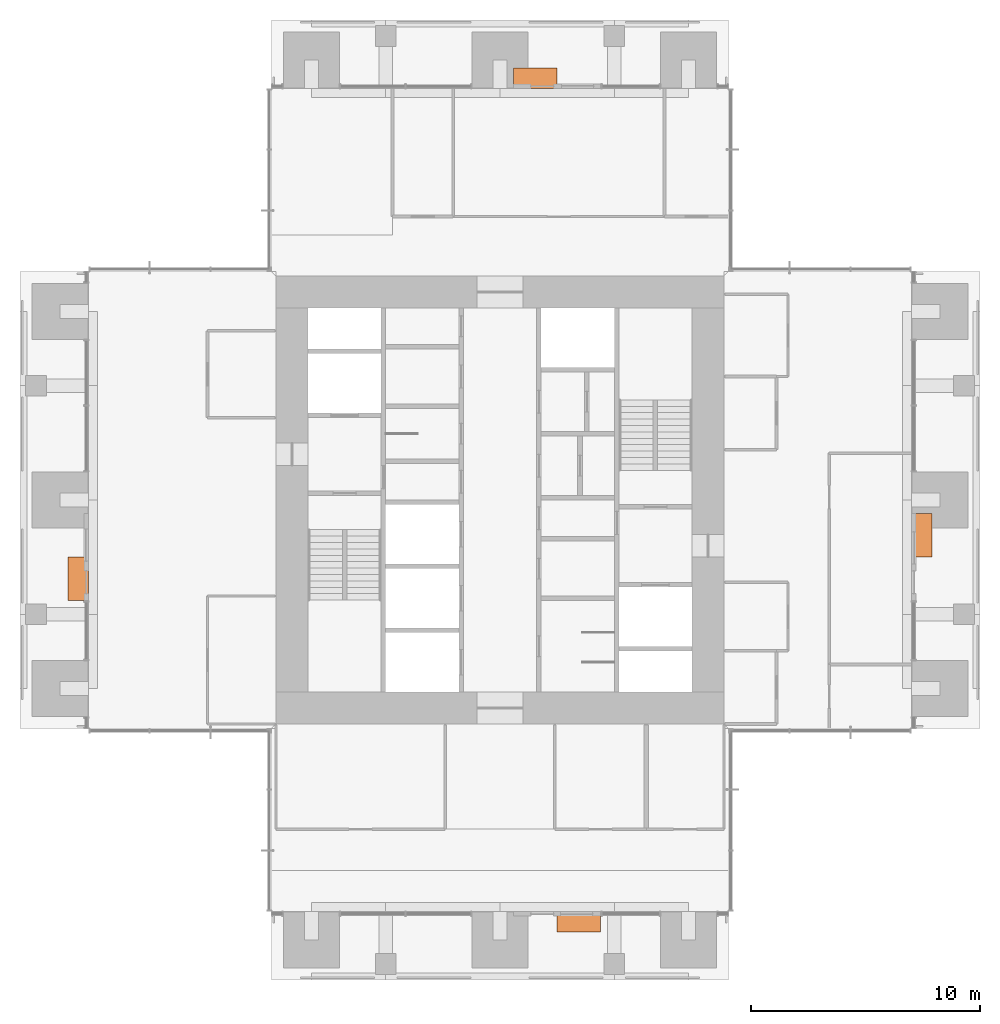
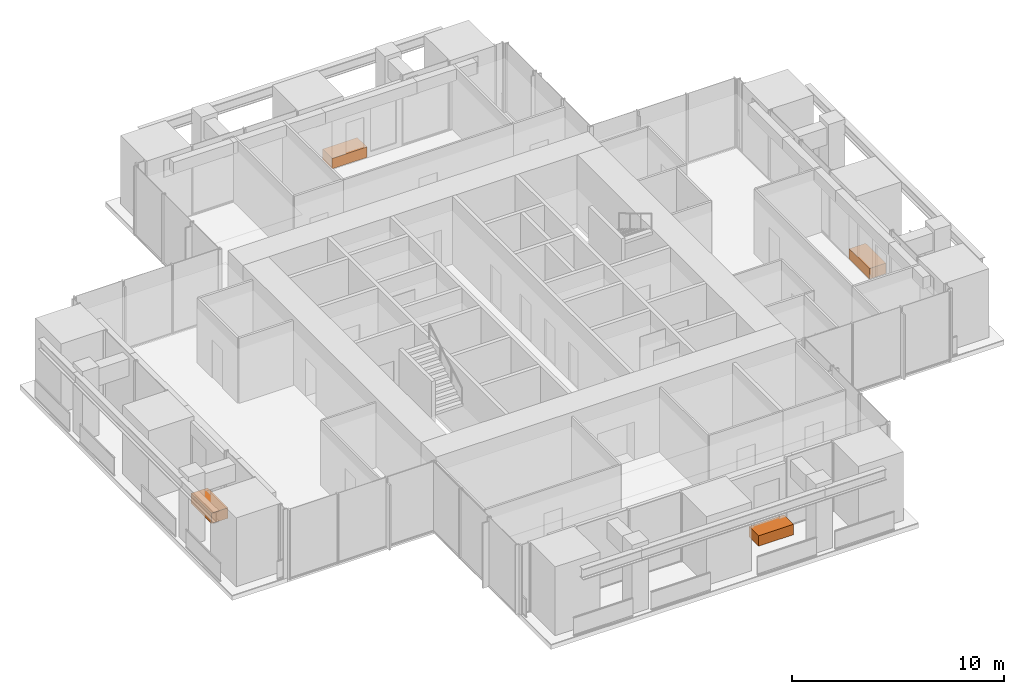
# One storey, part 17 of 17: 4 proxies.
"""IFC4 building model written with IfcOpenShell, lengths in metres."""

from ifc_helpers import new_model, si_unit, direction, frame, origin, origin_2d, place, context, subcontext, project, spatial, rectangle, extrude, element, save


model = new_model("IFC4")

# Units and contexts
model_context = context("Model", 3, precision=1e-05, world=origin(), true_north=direction((0.0, 1.0)))
body_context = subcontext(model_context, "Body", "Model", "MODEL_VIEW")
ifc_project = project(units=[si_unit("LENGTHUNIT", "METRE"), si_unit("AREAUNIT", "SQUARE_METRE"), si_unit("VOLUMEUNIT", "CUBIC_METRE"), si_unit("PLANEANGLEUNIT", "RADIAN"), si_unit("MASSUNIT", "GRAM", prefix="KILO")], contexts=[model_context])

# Site, building, storey
site_placement = place(None, origin())
site = spatial("IfcSite", under=ifc_project, at=site_placement, CompositionType="ELEMENT")
building_placement = place(site_placement, origin())
building = spatial("IfcBuilding", under=site, at=building_placement, Name="Svetlomir Tower", CompositionType="ELEMENT")
storey_placement = place(building_placement, frame((0.0, 0.0, 226.5)))
storey = spatial("IfcBuildingStorey", under=building, at=storey_placement, Name="L54", CompositionType="ELEMENT", Elevation=226.5)

# Proxies
proxy_1_placement = place(storey_placement, frame((24.449951171875, 2.550048828125, 0.0400390625), z_axis=(0.0, 0.0, 1.0), x_axis=(1.0, 0.0, 0.0)))
element("IfcBuildingElementProxy", 1, at=proxy_1_placement, inside=storey, Name="Tree planter S L54", ObjectType="PLANTER", PredefinedType="USERDEFINED", context=body_context, shape_type="SweptSolid", body=[
    extrude(rectangle(XDim=1.89990234375, YDim=0.89990234375, at=origin_2d()), origin(), (0.0, 0.0, 1.0), 0.60009765625),
])
proxy_2_placement = place(storey_placement, frame((39.449951171875, 19.449951171875, 0.0400390625), z_axis=(0.0, 0.0, 1.0), x_axis=(1.0, 0.0, 0.0)))
element("IfcBuildingElementProxy", 2, at=proxy_2_placement, inside=storey, Name="Tree planter E L54", ObjectType="PLANTER", PredefinedType="USERDEFINED", context=body_context, shape_type="SweptSolid", body=[
    extrude(rectangle(XDim=0.89990234375, YDim=1.89990234375, at=origin_2d()), origin(), (0.0, 0.0, 1.0), 0.60009765625),
])
proxy_3_placement = place(storey_placement, frame((22.550048828125, 39.449951171875, 0.0400390625), z_axis=(0.0, 0.0, 1.0), x_axis=(1.0, 0.0, 0.0)))
element("IfcBuildingElementProxy", 3, at=proxy_3_placement, inside=storey, Name="Tree planter N L54", ObjectType="PLANTER", PredefinedType="USERDEFINED", context=body_context, shape_type="SweptSolid", body=[
    extrude(rectangle(XDim=1.89990234375, YDim=0.89990234375, at=origin_2d()), origin(), (0.0, 0.0, 1.0), 0.60009765625),
])
proxy_4_placement = place(storey_placement, frame((2.550048828125, 17.550048828125, 0.0400390625), z_axis=(0.0, 0.0, 1.0), x_axis=(1.0, 0.0, 0.0)))
element("IfcBuildingElementProxy", 4, at=proxy_4_placement, inside=storey, Name="Tree planter W L54", ObjectType="PLANTER", PredefinedType="USERDEFINED", context=body_context, shape_type="SweptSolid", body=[
    extrude(rectangle(XDim=0.89990234375, YDim=1.89990234375, at=origin_2d()), origin(), (0.0, 0.0, 1.0), 0.60009765625),
])

save(model, "model.ifc")
